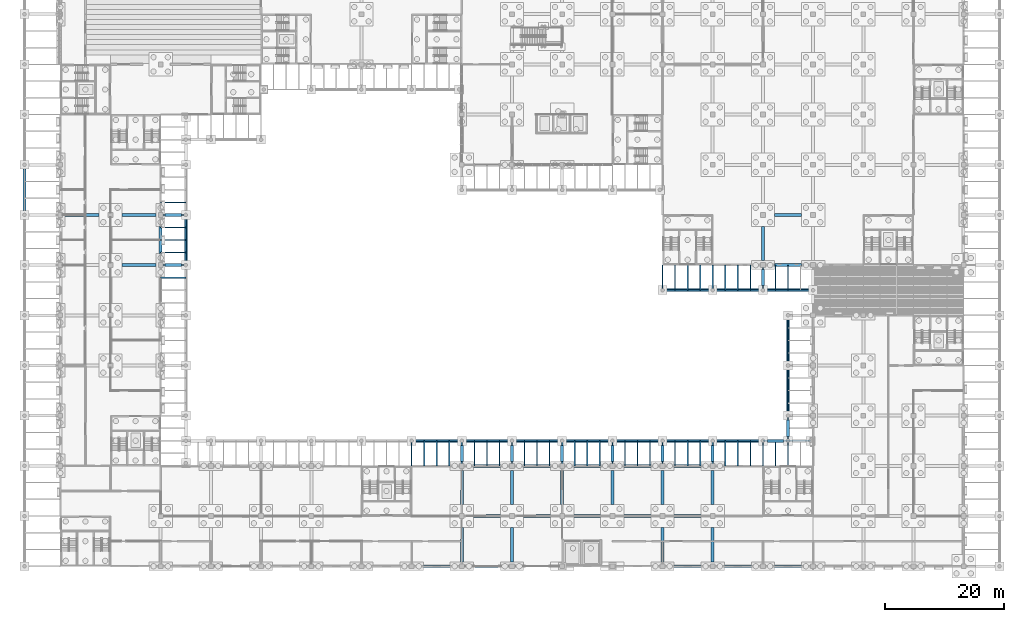
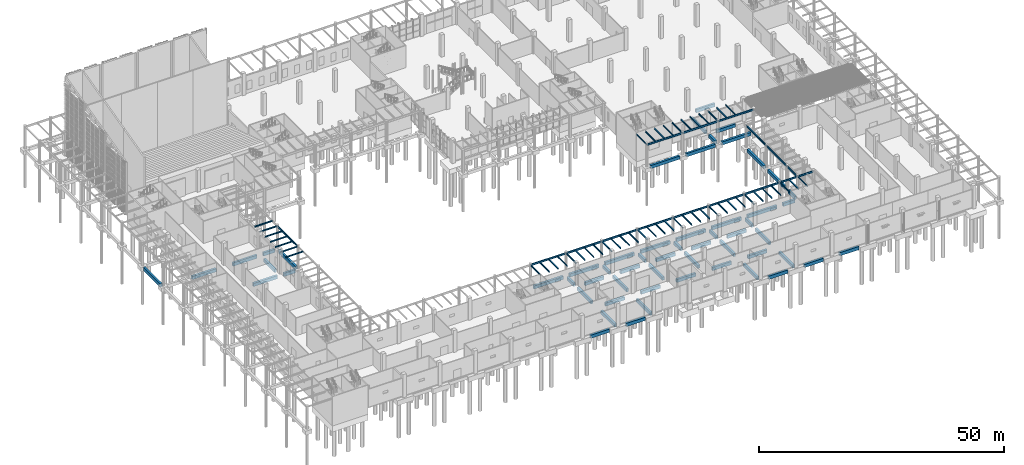
# One storey, part 10 of 82: 72 beams, 49 members.
"""IFC4 building model written with IfcOpenShell, lengths in metres."""

from ifc_helpers import new_model, si_unit, direction, frame, origin, origin_2d, place, context, subcontext, project, spatial, rectangle, i_section, extrude, material, material_profile, profile_set, type_object, element, save


model = new_model("IFC4")

# Units and contexts
model_context = context("Model", 3, precision=1e-05, world=origin(), true_north=direction((0.0, 1.0)))
body_context = subcontext(model_context, "Body", "Model", "MODEL_VIEW")
ifc_project = project(units=[si_unit("LENGTHUNIT", "METRE"), si_unit("AREAUNIT", "SQUARE_METRE"), si_unit("VOLUMEUNIT", "CUBIC_METRE"), si_unit("PLANEANGLEUNIT", "RADIAN"), si_unit("MASSUNIT", "GRAM", prefix="KILO")], contexts=[model_context])

# Site, building, storey
site_placement = place(None, origin())
site = spatial("IfcSite", under=ifc_project, at=site_placement, CompositionType="ELEMENT")
building_placement = place(site_placement, origin())
building = spatial("IfcBuilding", under=site, at=building_placement, Name="Almond Square Museum", CompositionType="ELEMENT")
storey_placement = place(building_placement, origin())
storey = spatial("IfcBuildingStorey", under=building, at=storey_placement, Name="L00", CompositionType="ELEMENT", Elevation=0.0)

# Beams
ifc_material_1 = material(Name="Structural steel S355", Category="steel")
ifc_material_profile_1 = material_profile(ifc_material_1, i_section(OverallWidth=0.19091796875, OverallDepth=0.45703125, WebThickness=0.009033203125, FlangeThickness=0.014404296875, at=origin_2d()))
ifc_profile_set_1 = profile_set([ifc_material_profile_1], Name="Structural steel S355")
beam_type_1 = type_object("IfcBeamType", Name="Eave beam W460x74", PredefinedType="BEAM", material=ifc_profile_set_1)
beam_1_placement = place(storey_placement, frame((64.800048828125, 21.0, 5.021484375), z_axis=(1.0, 0.0, 0.0), x_axis=(0.0, 1.0, 0.0)))
element("IfcBeam", 1, at=beam_1_placement, inside=storey, type_object=beam_type_1, Name="LG-V5S roof edge beam 6", PredefinedType="BEAM", context=body_context, shape_type="SweptSolid", body=[
    extrude(i_section(OverallWidth=0.19091796875, OverallDepth=0.45703125, WebThickness=0.009033203125, FlangeThickness=0.014404296875, at=origin_2d()), origin(), (0.0, 0.0, 1.0), 8.39990234375),
])
beam_2_placement = place(storey_placement, frame((73.199951171875, 21.0, 5.021484375), z_axis=(1.0, 0.0, 0.0), x_axis=(0.0, 1.0, 0.0)))
element("IfcBeam", 2, at=beam_2_placement, inside=storey, type_object=beam_type_1, Name="LG-V5S roof edge beam 7", PredefinedType="BEAM", context=body_context, shape_type="SweptSolid", body=[
    extrude(i_section(OverallWidth=0.19091796875, OverallDepth=0.45703125, WebThickness=0.009033203125, FlangeThickness=0.014404296875, at=origin_2d()), origin(), (0.0, 0.0, 1.0), 8.400146484375),
])
for number, where, z_axis, x_axis, name in (
    (3, (81.60009765625, 21.0, 5.021484375), (1.0, 0.0, 0.0), (0.0, 1.0, 0.0), "LG-V5S roof edge beam 8"),
    (4, (90.0, 21.0, 5.021484375), (1.0, 0.0, 0.0), (0.0, 1.0, 0.0), "LG-V5S roof edge beam 9"),
):
    element("IfcBeam", number, at=place(storey_placement, frame(where, z_axis=z_axis, x_axis=x_axis)), inside=storey, type_object=beam_type_1, Name=name, PredefinedType="BEAM", context=body_context, shape_type="SweptSolid", body=[
        extrude(i_section(OverallWidth=0.19091796875, OverallDepth=0.45703125, WebThickness=0.009033203125, FlangeThickness=0.014404296875, at=origin_2d()), origin(), (0.0, 0.0, 1.0), 8.39990234375),
    ])
beam_3_placement = place(storey_placement, frame((98.39990234375, 21.0, 5.021484375), z_axis=(1.0, 0.0, 0.0), x_axis=(0.0, 1.0, 0.0)))
element("IfcBeam", 5, at=beam_3_placement, inside=storey, type_object=beam_type_1, Name="LG-V5S roof edge beam 10", PredefinedType="BEAM", context=body_context, shape_type="SweptSolid", body=[
    extrude(i_section(OverallWidth=0.19091796875, OverallDepth=0.45703125, WebThickness=0.009033203125, FlangeThickness=0.014404296875, at=origin_2d()), origin(), (0.0, 0.0, 1.0), 8.400146484375),
])
beam_4_placement = place(storey_placement, frame((106.800048828125, 21.0, 5.021484375), z_axis=(1.0, 0.0, 0.0), x_axis=(0.0, 1.0, 0.0)))
element("IfcBeam", 6, at=beam_4_placement, inside=storey, type_object=beam_type_1, Name="LG-V5S roof edge beam 11", PredefinedType="BEAM", context=body_context, shape_type="SweptSolid", body=[
    extrude(i_section(OverallWidth=0.19091796875, OverallDepth=0.45703125, WebThickness=0.009033203125, FlangeThickness=0.014404296875, at=origin_2d()), origin(), (0.0, 0.0, 1.0), 8.39990234375),
])
beam_5_placement = place(storey_placement, frame((115.199951171875, 21.0, 5.021484375), z_axis=(1.0, 0.0, 0.0), x_axis=(0.0, 1.0, 0.0)))
element("IfcBeam", 7, at=beam_5_placement, inside=storey, type_object=beam_type_1, Name="LG-V5S roof edge beam 12", PredefinedType="BEAM", context=body_context, shape_type="SweptSolid", body=[
    extrude(i_section(OverallWidth=0.19091796875, OverallDepth=0.45703125, WebThickness=0.009033203125, FlangeThickness=0.014404296875, at=origin_2d()), origin(), (0.0, 0.0, 1.0), 8.400146484375),
])
beam_6_placement = place(storey_placement, frame((123.60009765625, 21.0, 5.021484375), z_axis=(1.0, 0.0, 0.0), x_axis=(0.0, 1.0, 0.0)))
element("IfcBeam", 8, at=beam_6_placement, inside=storey, type_object=beam_type_1, Name="LG-V5S roof edge beam 13", PredefinedType="BEAM", context=body_context, shape_type="SweptSolid", body=[
    extrude(i_section(OverallWidth=0.19091796875, OverallDepth=0.45703125, WebThickness=0.009033203125, FlangeThickness=0.014404296875, at=origin_2d()), origin(), (0.0, 0.0, 1.0), 7.949951171875),
])
beam_7_placement = place(storey_placement, frame((27.0, 50.39990234375, 5.021484375), z_axis=(0.0, 1.0, 0.0), x_axis=(-1.0, 0.0, 0.0)))
element("IfcBeam", 9, at=beam_7_placement, inside=storey, type_object=beam_type_1, Name="LG-V4W roof edge beam 5", PredefinedType="BEAM", context=body_context, shape_type="SweptSolid", body=[
    extrude(i_section(OverallWidth=0.19091796875, OverallDepth=0.45703125, WebThickness=0.009033203125, FlangeThickness=0.014404296875, at=origin_2d()), origin(), (0.0, 0.0, 1.0), 8.400146484375),
])
beam_8_placement = place(storey_placement, frame((106.800048828125, 46.199951171875, 5.021484375), z_axis=(1.0, 0.0, 0.0), x_axis=(0.0, 1.0, 0.0)))
element("IfcBeam", 10, at=beam_8_placement, inside=storey, type_object=beam_type_1, Name="LG-V1 roof edge beam 1", PredefinedType="BEAM", context=body_context, shape_type="SweptSolid", body=[
    extrude(i_section(OverallWidth=0.19091796875, OverallDepth=0.45703125, WebThickness=0.009033203125, FlangeThickness=0.014404296875, at=origin_2d()), origin(), (0.0, 0.0, 1.0), 8.39990234375),
])
beam_9_placement = place(storey_placement, frame((115.199951171875, 46.199951171875, 5.021484375), z_axis=(1.0, 0.0, 0.0), x_axis=(0.0, 1.0, 0.0)))
element("IfcBeam", 11, at=beam_9_placement, inside=storey, type_object=beam_type_1, Name="LG-V1 roof edge beam 2", PredefinedType="BEAM", context=body_context, shape_type="SweptSolid", body=[
    extrude(i_section(OverallWidth=0.19091796875, OverallDepth=0.45703125, WebThickness=0.009033203125, FlangeThickness=0.014404296875, at=origin_2d()), origin(), (0.0, 0.0, 1.0), 8.400146484375),
])
beam_10_placement = place(storey_placement, frame((123.60009765625, 46.199951171875, 5.021484375), z_axis=(1.0, 0.0, 0.0), x_axis=(0.0, 1.0, 0.0)))
element("IfcBeam", 12, at=beam_10_placement, inside=storey, type_object=beam_type_1, Name="LG-V1 roof edge beam 3", PredefinedType="BEAM", context=body_context, shape_type="SweptSolid", body=[
    extrude(i_section(OverallWidth=0.19091796875, OverallDepth=0.45703125, WebThickness=0.009033203125, FlangeThickness=0.014404296875, at=origin_2d()), origin(), (0.0, 0.0, 1.0), 8.39990234375),
])
beam_11_placement = place(storey_placement, frame((127.800048828125, 21.0, 5.021484375), z_axis=(0.0, 1.0, 0.0), x_axis=(-1.0, 0.0, 0.0)))
element("IfcBeam", 13, at=beam_11_placement, inside=storey, type_object=beam_type_1, Name="LG-V5E roof edge beam 1", PredefinedType="BEAM", context=body_context, shape_type="SweptSolid", body=[
    extrude(i_section(OverallWidth=0.19091796875, OverallDepth=0.45703125, WebThickness=0.009033203125, FlangeThickness=0.014404296875, at=origin_2d()), origin(), (0.0, 0.0, 1.0), 4.199951171875),
])
beam_12_placement = place(storey_placement, frame((127.800048828125, 25.199951171875, 5.021484375), z_axis=(0.0, 1.0, 0.0), x_axis=(-1.0, 0.0, 0.0)))
element("IfcBeam", 14, at=beam_12_placement, inside=storey, type_object=beam_type_1, Name="LG-V5E roof edge beam 2", PredefinedType="BEAM", context=body_context, shape_type="SweptSolid", body=[
    extrude(i_section(OverallWidth=0.19091796875, OverallDepth=0.45703125, WebThickness=0.009033203125, FlangeThickness=0.014404296875, at=origin_2d()), origin(), (0.0, 0.0, 1.0), 8.400146484375),
])
beam_13_placement = place(storey_placement, frame((127.800048828125, 33.60009765625, 5.021484375), z_axis=(0.0, 1.0, 0.0), x_axis=(-1.0, 0.0, 0.0)))
element("IfcBeam", 15, at=beam_13_placement, inside=storey, type_object=beam_type_1, Name="LG-V5E roof edge beam 3", PredefinedType="BEAM", context=body_context, shape_type="SweptSolid", body=[
    extrude(i_section(OverallWidth=0.19091796875, OverallDepth=0.45703125, WebThickness=0.009033203125, FlangeThickness=0.014404296875, at=origin_2d()), origin(), (0.0, 0.0, 1.0), 8.39990234375),
])
ifc_material_2 = material(Name="Concrete C35/45", Category="concrete")
ifc_material_profile_2 = material_profile(ifc_material_2, rectangle(XDim=0.5, YDim=0.800048828125, at=origin_2d()))
ifc_profile_set_2 = profile_set([ifc_material_profile_2], Name="Concrete C35/45")
beam_type_2 = type_object("IfcBeamType", Name="RC ground beam 500 x 800 C35/45", PredefinedType="BEAM", material=ifc_profile_set_2)
for number, where, z_axis, x_axis, name in (
    (16, (66.75, 0.0, -0.699951171875), (1.0, 0.0, 0.0), (0.0, 1.0, 0.0), "Ground beam 006"),
    (17, (75.14990234375, 0.0, -0.699951171875), (1.0, 0.0, 0.0), (0.0, 1.0, 0.0), "Ground beam 007"),
    (18, (108.75, 0.0, -0.699951171875), (1.0, 0.0, 0.0), (0.0, 1.0, 0.0), "Ground beam 008"),
    (19, (117.14990234375, 0.0, -0.699951171875), (1.0, 0.0, 0.0), (0.0, 1.0, 0.0), "Ground beam 009"),
    (20, (125.550048828125, 0.0, -0.699951171875), (1.0, 0.0, 0.0), (0.0, 1.0, 0.0), "Ground beam 010"),
    (21, (75.14990234375, 8.39990234375, -0.699951171875), (1.0, 0.0, 0.0), (0.0, 1.0, 0.0), "Ground beam 018"),
    (22, (83.550048828125, 8.39990234375, -0.699951171875), (1.0, 0.0, 0.0), (0.0, 1.0, 0.0), "Ground beam 019"),
    (23, (91.949951171875, 8.39990234375, -0.699951171875), (1.0, 0.0, 0.0), (0.0, 1.0, 0.0), "Ground beam 020"),
    (24, (100.35009765625, 8.39990234375, -0.699951171875), (1.0, 0.0, 0.0), (0.0, 1.0, 0.0), "Ground beam 021"),
    (25, (108.75, 8.39990234375, -0.699951171875), (1.0, 0.0, 0.0), (0.0, 1.0, 0.0), "Ground beam 022"),
    (26, (75.14990234375, 16.800048828125, -0.699951171875), (1.0, 0.0, 0.0), (0.0, 1.0, 0.0), "Ground beam 029"),
    (27, (83.550048828125, 16.800048828125, -0.699951171875), (1.0, 0.0, 0.0), (0.0, 1.0, 0.0), "Ground beam 030"),
    (28, (91.949951171875, 16.800048828125, -0.699951171875), (1.0, 0.0, 0.0), (0.0, 1.0, 0.0), "Ground beam 031"),
    (29, (100.35009765625, 16.800048828125, -0.699951171875), (1.0, 0.0, 0.0), (0.0, 1.0, 0.0), "Ground beam 032"),
    (30, (108.75, 16.800048828125, -0.699951171875), (1.0, 0.0, 0.0), (0.0, 1.0, 0.0), "Ground beam 033"),
):
    element("IfcBeam", number, at=place(storey_placement, frame(where, z_axis=z_axis, x_axis=x_axis)), inside=storey, type_object=beam_type_2, Name=name, PredefinedType="BEAM", context=body_context, shape_type="SweptSolid", body=[
        extrude(rectangle(XDim=0.5, YDim=0.800048828125, at=origin_2d()), origin(), (0.0, 0.0, 1.0), 4.5),
    ])
beam_14_placement = place(storey_placement, frame((65.550048828125, 21.0, -0.699951171875), z_axis=(1.0, 0.0, 0.0), x_axis=(0.0, 1.0, 0.0)))
element("IfcBeam", 31, at=beam_14_placement, inside=storey, type_object=beam_type_2, Name="Ground beam 042", PredefinedType="BEAM", context=body_context, shape_type="SweptSolid", body=[
    extrude(rectangle(XDim=0.5, YDim=0.800048828125, at=origin_2d()), origin(), (0.0, 0.0, 1.0), 6.89990234375),
])
beam_15_placement = place(storey_placement, frame((73.949951171875, 21.0, -0.699951171875), z_axis=(1.0, 0.0, 0.0), x_axis=(0.0, 1.0, 0.0)))
element("IfcBeam", 32, at=beam_15_placement, inside=storey, type_object=beam_type_2, Name="Ground beam 043", PredefinedType="BEAM", context=body_context, shape_type="SweptSolid", body=[
    extrude(rectangle(XDim=0.5, YDim=0.800048828125, at=origin_2d()), origin(), (0.0, 0.0, 1.0), 6.900146484375),
])
for number, where, z_axis, x_axis, name in (
    (33, (82.35009765625, 21.0, -0.699951171875), (1.0, 0.0, 0.0), (0.0, 1.0, 0.0), "Ground beam 044"),
    (34, (90.75, 21.0, -0.699951171875), (1.0, 0.0, 0.0), (0.0, 1.0, 0.0), "Ground beam 045"),
):
    element("IfcBeam", number, at=place(storey_placement, frame(where, z_axis=z_axis, x_axis=x_axis)), inside=storey, type_object=beam_type_2, Name=name, PredefinedType="BEAM", context=body_context, shape_type="SweptSolid", body=[
        extrude(rectangle(XDim=0.5, YDim=0.800048828125, at=origin_2d()), origin(), (0.0, 0.0, 1.0), 6.89990234375),
    ])
beam_16_placement = place(storey_placement, frame((99.14990234375, 21.0, -0.699951171875), z_axis=(1.0, 0.0, 0.0), x_axis=(0.0, 1.0, 0.0)))
element("IfcBeam", 35, at=beam_16_placement, inside=storey, type_object=beam_type_2, Name="Ground beam 046", PredefinedType="BEAM", context=body_context, shape_type="SweptSolid", body=[
    extrude(rectangle(XDim=0.5, YDim=0.800048828125, at=origin_2d()), origin(), (0.0, 0.0, 1.0), 6.900146484375),
])
beam_17_placement = place(storey_placement, frame((107.550048828125, 21.0, -0.699951171875), z_axis=(1.0, 0.0, 0.0), x_axis=(0.0, 1.0, 0.0)))
element("IfcBeam", 36, at=beam_17_placement, inside=storey, type_object=beam_type_2, Name="Ground beam 047", PredefinedType="BEAM", context=body_context, shape_type="SweptSolid", body=[
    extrude(rectangle(XDim=0.5, YDim=0.800048828125, at=origin_2d()), origin(), (0.0, 0.0, 1.0), 6.89990234375),
])
beam_18_placement = place(storey_placement, frame((115.949951171875, 21.0, -0.699951171875), z_axis=(1.0, 0.0, 0.0), x_axis=(0.0, 1.0, 0.0)))
element("IfcBeam", 37, at=beam_18_placement, inside=storey, type_object=beam_type_2, Name="Ground beam 048", PredefinedType="BEAM", context=body_context, shape_type="SweptSolid", body=[
    extrude(rectangle(XDim=0.5, YDim=0.800048828125, at=origin_2d()), origin(), (0.0, 0.0, 1.0), 6.900146484375),
])
beam_19_placement = place(storey_placement, frame((124.35009765625, 21.0, -0.699951171875), z_axis=(1.0, 0.0, 0.0), x_axis=(0.0, 1.0, 0.0)))
element("IfcBeam", 38, at=beam_19_placement, inside=storey, type_object=beam_type_2, Name="Ground beam 049", PredefinedType="BEAM", context=body_context, shape_type="SweptSolid", body=[
    extrude(rectangle(XDim=0.5, YDim=0.800048828125, at=origin_2d()), origin(), (0.0, 0.0, 1.0), 2.699951171875),
])
beam_20_placement = place(storey_placement, frame((107.550048828125, 46.199951171875, -0.699951171875), z_axis=(1.0, 0.0, 0.0), x_axis=(0.0, 1.0, 0.0)))
element("IfcBeam", 39, at=beam_20_placement, inside=storey, type_object=beam_type_2, Name="Ground beam 069", PredefinedType="BEAM", context=body_context, shape_type="SweptSolid", body=[
    extrude(rectangle(XDim=0.5, YDim=0.800048828125, at=origin_2d()), origin(), (0.0, 0.0, 1.0), 6.89990234375),
])
beam_21_placement = place(storey_placement, frame((115.949951171875, 46.199951171875, -0.699951171875), z_axis=(1.0, 0.0, 0.0), x_axis=(0.0, 1.0, 0.0)))
element("IfcBeam", 40, at=beam_21_placement, inside=storey, type_object=beam_type_2, Name="Ground beam 070", PredefinedType="BEAM", context=body_context, shape_type="SweptSolid", body=[
    extrude(rectangle(XDim=0.5, YDim=0.800048828125, at=origin_2d()), origin(), (0.0, 0.0, 1.0), 6.900146484375),
])
beam_22_placement = place(storey_placement, frame((124.35009765625, 46.199951171875, -0.699951171875), z_axis=(1.0, 0.0, 0.0), x_axis=(0.0, 1.0, 0.0)))
element("IfcBeam", 41, at=beam_22_placement, inside=storey, type_object=beam_type_2, Name="Ground beam 071", PredefinedType="BEAM", context=body_context, shape_type="SweptSolid", body=[
    extrude(rectangle(XDim=0.5, YDim=0.800048828125, at=origin_2d()), origin(), (0.0, 0.0, 1.0), 6.89990234375),
])
beam_23_placement = place(storey_placement, frame((16.35009765625, 50.39990234375, -0.699951171875), z_axis=(1.0, 0.0, 0.0), x_axis=(0.0, 1.0, 0.0)))
element("IfcBeam", 42, at=beam_23_placement, inside=storey, type_object=beam_type_2, Name="Ground beam 074", PredefinedType="BEAM", context=body_context, shape_type="SweptSolid", body=[
    extrude(rectangle(XDim=0.5, YDim=0.800048828125, at=origin_2d()), origin(), (0.0, 0.0, 1.0), 5.699951171875),
])
beam_24_placement = place(storey_placement, frame((23.550048828125, 50.39990234375, -0.699951171875), z_axis=(1.0, 0.0, 0.0), x_axis=(0.0, 1.0, 0.0)))
element("IfcBeam", 43, at=beam_24_placement, inside=storey, type_object=beam_type_2, Name="Ground beam 075", PredefinedType="BEAM", context=body_context, shape_type="SweptSolid", body=[
    extrude(rectangle(XDim=0.5, YDim=0.800048828125, at=origin_2d()), origin(), (0.0, 0.0, 1.0), 2.699951171875),
])
beam_25_placement = place(storey_placement, frame((125.550048828125, 50.39990234375, -0.699951171875), z_axis=(1.0, 0.0, 0.0), x_axis=(0.0, 1.0, 0.0)))
element("IfcBeam", 44, at=beam_25_placement, inside=storey, type_object=beam_type_2, Name="Ground beam 076", PredefinedType="BEAM", context=body_context, shape_type="SweptSolid", body=[
    extrude(rectangle(XDim=0.5, YDim=0.800048828125, at=origin_2d()), origin(), (0.0, 0.0, 1.0), 4.5),
])
for number, where, z_axis, x_axis, name in (
    (45, (6.75, 58.800048828125, -0.699951171875), (1.0, 0.0, 0.0), (0.0, 1.0, 0.0), "Ground beam 079"),
    (46, (16.35009765625, 58.800048828125, -0.699951171875), (1.0, 0.0, 0.0), (0.0, 1.0, 0.0), "Ground beam 080"),
):
    element("IfcBeam", number, at=place(storey_placement, frame(where, z_axis=z_axis, x_axis=x_axis)), inside=storey, type_object=beam_type_2, Name=name, PredefinedType="BEAM", context=body_context, shape_type="SweptSolid", body=[
        extrude(rectangle(XDim=0.5, YDim=0.800048828125, at=origin_2d()), origin(), (0.0, 0.0, 1.0), 5.699951171875),
    ])
beam_26_placement = place(storey_placement, frame((23.550048828125, 58.800048828125, -0.699951171875), z_axis=(1.0, 0.0, 0.0), x_axis=(0.0, 1.0, 0.0)))
element("IfcBeam", 47, at=beam_26_placement, inside=storey, type_object=beam_type_2, Name="Ground beam 081", PredefinedType="BEAM", context=body_context, shape_type="SweptSolid", body=[
    extrude(rectangle(XDim=0.5, YDim=0.800048828125, at=origin_2d()), origin(), (0.0, 0.0, 1.0), 2.699951171875),
])
beam_27_placement = place(storey_placement, frame((125.550048828125, 58.800048828125, -0.699951171875), z_axis=(1.0, 0.0, 0.0), x_axis=(0.0, 1.0, 0.0)))
element("IfcBeam", 48, at=beam_27_placement, inside=storey, type_object=beam_type_2, Name="Ground beam 082", PredefinedType="BEAM", context=body_context, shape_type="SweptSolid", body=[
    extrude(rectangle(XDim=0.5, YDim=0.800048828125, at=origin_2d()), origin(), (0.0, 0.0, 1.0), 4.5),
])
beam_28_placement = place(storey_placement, frame((0.0, 59.550048828125, -0.699951171875), z_axis=(0.0, 1.0, 0.0), x_axis=(-1.0, 0.0, 0.0)))
element("IfcBeam", 49, at=beam_28_placement, inside=storey, type_object=beam_type_2, Name="Ground beam 171", PredefinedType="BEAM", context=body_context, shape_type="SweptSolid", body=[
    extrude(rectangle(XDim=0.5, YDim=0.800048828125, at=origin_2d()), origin(), (0.0, 0.0, 1.0), 6.89990234375),
])
beam_29_placement = place(storey_placement, frame((22.800048828125, 52.35009765625, -0.699951171875), z_axis=(0.0, 1.0, 0.0), x_axis=(-1.0, 0.0, 0.0)))
element("IfcBeam", 50, at=beam_29_placement, inside=storey, type_object=beam_type_2, Name="Ground beam 194", PredefinedType="BEAM", context=body_context, shape_type="SweptSolid", body=[
    extrude(rectangle(XDim=0.5, YDim=0.800048828125, at=origin_2d()), origin(), (0.0, 0.0, 1.0), 4.5),
])
beam_30_placement = place(storey_placement, frame((27.0, 51.14990234375, -0.699951171875), z_axis=(0.0, 1.0, 0.0), x_axis=(-1.0, 0.0, 0.0)))
element("IfcBeam", 51, at=beam_30_placement, inside=storey, type_object=beam_type_2, Name="Ground beam 201", PredefinedType="BEAM", context=body_context, shape_type="SweptSolid", body=[
    extrude(rectangle(XDim=0.5, YDim=0.800048828125, at=origin_2d()), origin(), (0.0, 0.0, 1.0), 6.900146484375),
])
for number, where, z_axis, x_axis, name in (
    (52, (73.199951171875, 0.75, -0.699951171875), (0.0, 1.0, 0.0), (-1.0, 0.0, 0.0), "Ground beam 226"),
    (53, (73.199951171875, 10.35009765625, -0.699951171875), (0.0, 1.0, 0.0), (-1.0, 0.0, 0.0), "Ground beam 227"),
):
    element("IfcBeam", number, at=place(storey_placement, frame(where, z_axis=z_axis, x_axis=x_axis)), inside=storey, type_object=beam_type_2, Name=name, PredefinedType="BEAM", context=body_context, shape_type="SweptSolid", body=[
        extrude(rectangle(XDim=0.5, YDim=0.800048828125, at=origin_2d()), origin(), (0.0, 0.0, 1.0), 5.699951171875),
    ])
beam_31_placement = place(storey_placement, frame((73.199951171875, 17.550048828125, -0.699951171875), z_axis=(0.0, 1.0, 0.0), x_axis=(-1.0, 0.0, 0.0)))
element("IfcBeam", 54, at=beam_31_placement, inside=storey, type_object=beam_type_2, Name="Ground beam 228", PredefinedType="BEAM", context=body_context, shape_type="SweptSolid", body=[
    extrude(rectangle(XDim=0.5, YDim=0.800048828125, at=origin_2d()), origin(), (0.0, 0.0, 1.0), 2.699951171875),
])
for number, where, z_axis, x_axis, name in (
    (55, (81.60009765625, 0.75, -0.699951171875), (0.0, 1.0, 0.0), (-1.0, 0.0, 0.0), "Ground beam 231"),
    (56, (81.60009765625, 10.35009765625, -0.699951171875), (0.0, 1.0, 0.0), (-1.0, 0.0, 0.0), "Ground beam 232"),
):
    element("IfcBeam", number, at=place(storey_placement, frame(where, z_axis=z_axis, x_axis=x_axis)), inside=storey, type_object=beam_type_2, Name=name, PredefinedType="BEAM", context=body_context, shape_type="SweptSolid", body=[
        extrude(rectangle(XDim=0.5, YDim=0.800048828125, at=origin_2d()), origin(), (0.0, 0.0, 1.0), 5.699951171875),
    ])
beam_32_placement = place(storey_placement, frame((81.60009765625, 17.550048828125, -0.699951171875), z_axis=(0.0, 1.0, 0.0), x_axis=(-1.0, 0.0, 0.0)))
element("IfcBeam", 57, at=beam_32_placement, inside=storey, type_object=beam_type_2, Name="Ground beam 233", PredefinedType="BEAM", context=body_context, shape_type="SweptSolid", body=[
    extrude(rectangle(XDim=0.5, YDim=0.800048828125, at=origin_2d()), origin(), (0.0, 0.0, 1.0), 2.699951171875),
])
beam_33_placement = place(storey_placement, frame((90.0, 10.35009765625, -0.699951171875), z_axis=(0.0, 1.0, 0.0), x_axis=(-1.0, 0.0, 0.0)))
element("IfcBeam", 58, at=beam_33_placement, inside=storey, type_object=beam_type_2, Name="Ground beam 238", PredefinedType="BEAM", context=body_context, shape_type="SweptSolid", body=[
    extrude(rectangle(XDim=0.5, YDim=0.800048828125, at=origin_2d()), origin(), (0.0, 0.0, 1.0), 5.699951171875),
])
beam_34_placement = place(storey_placement, frame((90.0, 17.550048828125, -0.699951171875), z_axis=(0.0, 1.0, 0.0), x_axis=(-1.0, 0.0, 0.0)))
element("IfcBeam", 59, at=beam_34_placement, inside=storey, type_object=beam_type_2, Name="Ground beam 239", PredefinedType="BEAM", context=body_context, shape_type="SweptSolid", body=[
    extrude(rectangle(XDim=0.5, YDim=0.800048828125, at=origin_2d()), origin(), (0.0, 0.0, 1.0), 2.699951171875),
])
beam_35_placement = place(storey_placement, frame((98.39990234375, 10.35009765625, -0.699951171875), z_axis=(0.0, 1.0, 0.0), x_axis=(-1.0, 0.0, 0.0)))
element("IfcBeam", 60, at=beam_35_placement, inside=storey, type_object=beam_type_2, Name="Ground beam 245", PredefinedType="BEAM", context=body_context, shape_type="SweptSolid", body=[
    extrude(rectangle(XDim=0.5, YDim=0.800048828125, at=origin_2d()), origin(), (0.0, 0.0, 1.0), 5.699951171875),
])
beam_36_placement = place(storey_placement, frame((98.39990234375, 17.550048828125, -0.699951171875), z_axis=(0.0, 1.0, 0.0), x_axis=(-1.0, 0.0, 0.0)))
element("IfcBeam", 61, at=beam_36_placement, inside=storey, type_object=beam_type_2, Name="Ground beam 246", PredefinedType="BEAM", context=body_context, shape_type="SweptSolid", body=[
    extrude(rectangle(XDim=0.5, YDim=0.800048828125, at=origin_2d()), origin(), (0.0, 0.0, 1.0), 2.699951171875),
])
for number, where, z_axis, x_axis, name in (
    (62, (106.800048828125, 0.75, -0.699951171875), (0.0, 1.0, 0.0), (-1.0, 0.0, 0.0), "Ground beam 251"),
    (63, (106.800048828125, 10.35009765625, -0.699951171875), (0.0, 1.0, 0.0), (-1.0, 0.0, 0.0), "Ground beam 252"),
):
    element("IfcBeam", number, at=place(storey_placement, frame(where, z_axis=z_axis, x_axis=x_axis)), inside=storey, type_object=beam_type_2, Name=name, PredefinedType="BEAM", context=body_context, shape_type="SweptSolid", body=[
        extrude(rectangle(XDim=0.5, YDim=0.800048828125, at=origin_2d()), origin(), (0.0, 0.0, 1.0), 5.699951171875),
    ])
beam_37_placement = place(storey_placement, frame((106.800048828125, 17.550048828125, -0.699951171875), z_axis=(0.0, 1.0, 0.0), x_axis=(-1.0, 0.0, 0.0)))
element("IfcBeam", 64, at=beam_37_placement, inside=storey, type_object=beam_type_2, Name="Ground beam 253", PredefinedType="BEAM", context=body_context, shape_type="SweptSolid", body=[
    extrude(rectangle(XDim=0.5, YDim=0.800048828125, at=origin_2d()), origin(), (0.0, 0.0, 1.0), 2.699951171875),
])
for number, where, z_axis, x_axis, name in (
    (65, (115.199951171875, 0.75, -0.699951171875), (0.0, 1.0, 0.0), (-1.0, 0.0, 0.0), "Ground beam 258"),
    (66, (115.199951171875, 10.35009765625, -0.699951171875), (0.0, 1.0, 0.0), (-1.0, 0.0, 0.0), "Ground beam 259"),
):
    element("IfcBeam", number, at=place(storey_placement, frame(where, z_axis=z_axis, x_axis=x_axis)), inside=storey, type_object=beam_type_2, Name=name, PredefinedType="BEAM", context=body_context, shape_type="SweptSolid", body=[
        extrude(rectangle(XDim=0.5, YDim=0.800048828125, at=origin_2d()), origin(), (0.0, 0.0, 1.0), 5.699951171875),
    ])
for number, where, z_axis, x_axis, name in (
    (67, (115.199951171875, 17.550048828125, -0.699951171875), (0.0, 1.0, 0.0), (-1.0, 0.0, 0.0), "Ground beam 260"),
    (68, (123.60009765625, 46.949951171875, -0.699951171875), (0.0, 1.0, 0.0), (-1.0, 0.0, 0.0), "Ground beam 267"),
):
    element("IfcBeam", number, at=place(storey_placement, frame(where, z_axis=z_axis, x_axis=x_axis)), inside=storey, type_object=beam_type_2, Name=name, PredefinedType="BEAM", context=body_context, shape_type="SweptSolid", body=[
        extrude(rectangle(XDim=0.5, YDim=0.800048828125, at=origin_2d()), origin(), (0.0, 0.0, 1.0), 2.699951171875),
    ])
beam_38_placement = place(storey_placement, frame((123.60009765625, 51.14990234375, -0.699951171875), z_axis=(0.0, 1.0, 0.0), x_axis=(-1.0, 0.0, 0.0)))
element("IfcBeam", 69, at=beam_38_placement, inside=storey, type_object=beam_type_2, Name="Ground beam 268", PredefinedType="BEAM", context=body_context, shape_type="SweptSolid", body=[
    extrude(rectangle(XDim=0.5, YDim=0.800048828125, at=origin_2d()), origin(), (0.0, 0.0, 1.0), 5.7001953125),
])
beam_39_placement = place(storey_placement, frame((127.800048828125, 21.75, -0.699951171875), z_axis=(0.0, 1.0, 0.0), x_axis=(-1.0, 0.0, 0.0)))
element("IfcBeam", 70, at=beam_39_placement, inside=storey, type_object=beam_type_2, Name="Ground beam 273", PredefinedType="BEAM", context=body_context, shape_type="SweptSolid", body=[
    extrude(rectangle(XDim=0.5, YDim=0.800048828125, at=origin_2d()), origin(), (0.0, 0.0, 1.0), 2.699951171875),
])
beam_40_placement = place(storey_placement, frame((127.800048828125, 25.949951171875, -0.699951171875), z_axis=(0.0, 1.0, 0.0), x_axis=(-1.0, 0.0, 0.0)))
element("IfcBeam", 71, at=beam_40_placement, inside=storey, type_object=beam_type_2, Name="Ground beam 274", PredefinedType="BEAM", context=body_context, shape_type="SweptSolid", body=[
    extrude(rectangle(XDim=0.5, YDim=0.800048828125, at=origin_2d()), origin(), (0.0, 0.0, 1.0), 6.900146484375),
])
beam_41_placement = place(storey_placement, frame((127.800048828125, 34.35009765625, -0.699951171875), z_axis=(0.0, 1.0, 0.0), x_axis=(-1.0, 0.0, 0.0)))
element("IfcBeam", 72, at=beam_41_placement, inside=storey, type_object=beam_type_2, Name="Ground beam 275", PredefinedType="BEAM", context=body_context, shape_type="SweptSolid", body=[
    extrude(rectangle(XDim=0.5, YDim=0.800048828125, at=origin_2d()), origin(), (0.0, 0.0, 1.0), 6.89990234375),
])

# Members
ifc_material_3 = material(Name="Structural steel S355", Category="steel")
ifc_material_profile_3 = material_profile(ifc_material_3, i_section(OverallWidth=0.202880859375, OverallDepth=0.302001953125, WebThickness=0.007568359375, FlangeThickness=0.01318359375, at=origin_2d()))
ifc_profile_set_3 = profile_set([ifc_material_profile_3], Name="Structural steel S355")
member_type = type_object("IfcMemberType", Name="Steel joist W310x60", PredefinedType="MEMBER", material=ifc_profile_set_3)
for number, where, z_axis, x_axis, name in (
    (73, (64.800048828125, 16.800048828125, 5.09912109375), (0.0, 1.0, 0.0), (-1.0, 0.0, 0.0), "LG-V5S roof joist 19"),
    (74, (66.89990234375, 16.800048828125, 5.09912109375), (0.0, 1.0, 0.0), (-1.0, 0.0, 0.0), "LG-V5S roof joist 20"),
    (75, (69.0, 16.800048828125, 5.09912109375), (0.0, 1.0, 0.0), (-1.0, 0.0, 0.0), "LG-V5S roof joist 21"),
    (76, (71.10009765625, 16.800048828125, 5.09912109375), (0.0, 1.0, 0.0), (-1.0, 0.0, 0.0), "LG-V5S roof joist 22"),
    (77, (73.199951171875, 16.800048828125, 5.09912109375), (0.0, 1.0, 0.0), (-1.0, 0.0, 0.0), "LG-V5S roof joist 23"),
    (78, (75.300048828125, 16.800048828125, 5.09912109375), (0.0, 1.0, 0.0), (-1.0, 0.0, 0.0), "LG-V5S roof joist 24"),
    (79, (77.39990234375, 16.800048828125, 5.09912109375), (0.0, 1.0, 0.0), (-1.0, 0.0, 0.0), "LG-V5S roof joist 25"),
    (80, (79.5, 16.800048828125, 5.09912109375), (0.0, 1.0, 0.0), (-1.0, 0.0, 0.0), "LG-V5S roof joist 26"),
    (81, (81.60009765625, 16.800048828125, 5.09912109375), (0.0, 1.0, 0.0), (-1.0, 0.0, 0.0), "LG-V5S roof joist 27"),
    (82, (83.699951171875, 16.800048828125, 5.09912109375), (0.0, 1.0, 0.0), (-1.0, 0.0, 0.0), "LG-V5S roof joist 28"),
    (83, (85.800048828125, 16.800048828125, 5.09912109375), (0.0, 1.0, 0.0), (-1.0, 0.0, 0.0), "LG-V5S roof joist 29"),
    (84, (87.89990234375, 16.800048828125, 5.09912109375), (0.0, 1.0, 0.0), (-1.0, 0.0, 0.0), "LG-V5S roof joist 30"),
    (85, (90.0, 16.800048828125, 5.09912109375), (0.0, 1.0, 0.0), (-1.0, 0.0, 0.0), "LG-V5S roof joist 31"),
    (86, (92.10009765625, 16.800048828125, 5.09912109375), (0.0, 1.0, 0.0), (-1.0, 0.0, 0.0), "LG-V5S roof joist 32"),
    (87, (94.199951171875, 16.800048828125, 5.09912109375), (0.0, 1.0, 0.0), (-1.0, 0.0, 0.0), "LG-V5S roof joist 33"),
    (88, (96.300048828125, 16.800048828125, 5.09912109375), (0.0, 1.0, 0.0), (-1.0, 0.0, 0.0), "LG-V5S roof joist 34"),
    (89, (98.39990234375, 16.800048828125, 5.09912109375), (0.0, 1.0, 0.0), (-1.0, 0.0, 0.0), "LG-V5S roof joist 35"),
    (90, (100.5, 16.800048828125, 5.09912109375), (0.0, 1.0, 0.0), (-1.0, 0.0, 0.0), "LG-V5S roof joist 36"),
    (91, (102.60009765625, 16.800048828125, 5.09912109375), (0.0, 1.0, 0.0), (-1.0, 0.0, 0.0), "LG-V5S roof joist 37"),
    (92, (104.699951171875, 16.800048828125, 5.09912109375), (0.0, 1.0, 0.0), (-1.0, 0.0, 0.0), "LG-V5S roof joist 38"),
    (93, (106.800048828125, 16.800048828125, 5.09912109375), (0.0, 1.0, 0.0), (-1.0, 0.0, 0.0), "LG-V5S roof joist 39"),
    (94, (108.89990234375, 16.800048828125, 5.09912109375), (0.0, 1.0, 0.0), (-1.0, 0.0, 0.0), "LG-V5S roof joist 40"),
    (95, (111.0, 16.800048828125, 5.09912109375), (0.0, 1.0, 0.0), (-1.0, 0.0, 0.0), "LG-V5S roof joist 41"),
    (96, (113.10009765625, 16.800048828125, 5.09912109375), (0.0, 1.0, 0.0), (-1.0, 0.0, 0.0), "LG-V5S roof joist 42"),
    (97, (115.199951171875, 16.800048828125, 5.09912109375), (0.0, 1.0, 0.0), (-1.0, 0.0, 0.0), "LG-V5S roof joist 43"),
    (98, (117.300048828125, 16.800048828125, 5.09912109375), (0.0, 1.0, 0.0), (-1.0, 0.0, 0.0), "LG-V5S roof joist 44"),
    (99, (119.39990234375, 16.800048828125, 5.09912109375), (0.0, 1.0, 0.0), (-1.0, 0.0, 0.0), "LG-V5S roof joist 45"),
    (100, (121.5, 16.800048828125, 5.09912109375), (0.0, 1.0, 0.0), (-1.0, 0.0, 0.0), "LG-V5S roof joist 46"),
    (101, (123.60009765625, 16.800048828125, 5.09912109375), (0.0, 1.0, 0.0), (-1.0, 0.0, 0.0), "LG-V5S roof joist 47"),
    (102, (125.699951171875, 16.800048828125, 5.09912109375), (0.0, 1.0, 0.0), (-1.0, 0.0, 0.0), "LG-V5S roof joist 48"),
    (103, (127.800048828125, 16.800048828125, 5.09912109375), (0.0, 1.0, 0.0), (-1.0, 0.0, 0.0), "LG-V5S roof joist 49"),
    (104, (22.800048828125, 48.300048828125, 5.09912109375), (1.0, 0.0, 0.0), (0.0, 1.0, 0.0), "LG-V4W roof joist 16"),
    (105, (22.800048828125, 50.39990234375, 5.09912109375), (1.0, 0.0, 0.0), (0.0, 1.0, 0.0), "LG-V4W roof joist 17"),
    (106, (22.800048828125, 52.5, 5.09912109375), (1.0, 0.0, 0.0), (0.0, 1.0, 0.0), "LG-V4W roof joist 18"),
    (107, (22.800048828125, 54.60009765625, 5.09912109375), (1.0, 0.0, 0.0), (0.0, 1.0, 0.0), "LG-V4W roof joist 19"),
    (108, (22.800048828125, 56.699951171875, 5.09912109375), (1.0, 0.0, 0.0), (0.0, 1.0, 0.0), "LG-V4W roof joist 20"),
    (109, (22.800048828125, 58.800048828125, 5.09912109375), (1.0, 0.0, 0.0), (0.0, 1.0, 0.0), "LG-V4W roof joist 21"),
    (110, (22.800048828125, 60.89990234375, 5.09912109375), (1.0, 0.0, 0.0), (0.0, 1.0, 0.0), "LG-V4W roof joist 22"),
    (111, (106.800048828125, 50.39990234375, 5.09912109375), (0.0, -1.0, 0.0), (1.0, 0.0, 0.0), "LG-V1 roof joist 1"),
    (112, (108.89990234375, 50.39990234375, 5.09912109375), (0.0, -1.0, 0.0), (1.0, 0.0, 0.0), "LG-V1 roof joist 2"),
    (113, (111.0, 50.39990234375, 5.09912109375), (0.0, -1.0, 0.0), (1.0, 0.0, 0.0), "LG-V1 roof joist 3"),
    (114, (113.10009765625, 50.39990234375, 5.09912109375), (0.0, -1.0, 0.0), (1.0, 0.0, 0.0), "LG-V1 roof joist 4"),
    (115, (115.199951171875, 50.39990234375, 5.09912109375), (0.0, -1.0, 0.0), (1.0, 0.0, 0.0), "LG-V1 roof joist 5"),
    (116, (117.300048828125, 50.39990234375, 5.09912109375), (0.0, -1.0, 0.0), (1.0, 0.0, 0.0), "LG-V1 roof joist 6"),
    (117, (119.39990234375, 50.39990234375, 5.09912109375), (0.0, -1.0, 0.0), (1.0, 0.0, 0.0), "LG-V1 roof joist 7"),
    (118, (121.5, 50.39990234375, 5.09912109375), (0.0, -1.0, 0.0), (1.0, 0.0, 0.0), "LG-V1 roof joist 8"),
    (119, (123.60009765625, 50.39990234375, 5.09912109375), (0.0, -1.0, 0.0), (1.0, 0.0, 0.0), "LG-V1 roof joist 9"),
    (120, (125.699951171875, 50.39990234375, 5.09912109375), (0.0, -1.0, 0.0), (1.0, 0.0, 0.0), "LG-V1 roof joist 10"),
    (121, (127.800048828125, 50.39990234375, 5.09912109375), (0.0, -1.0, 0.0), (1.0, 0.0, 0.0), "LG-V1 roof joist 11"),
):
    element("IfcMember", number, at=place(storey_placement, frame(where, z_axis=z_axis, x_axis=x_axis)), inside=storey, type_object=member_type, Name=name, PredefinedType="MEMBER", context=body_context, shape_type="SweptSolid", body=[
        extrude(i_section(OverallWidth=0.202880859375, OverallDepth=0.302001953125, WebThickness=0.007568359375, FlangeThickness=0.01318359375, at=origin_2d()), origin(), (0.0, 0.0, 1.0), 4.199951171875),
    ])

save(model, "model.ifc")
